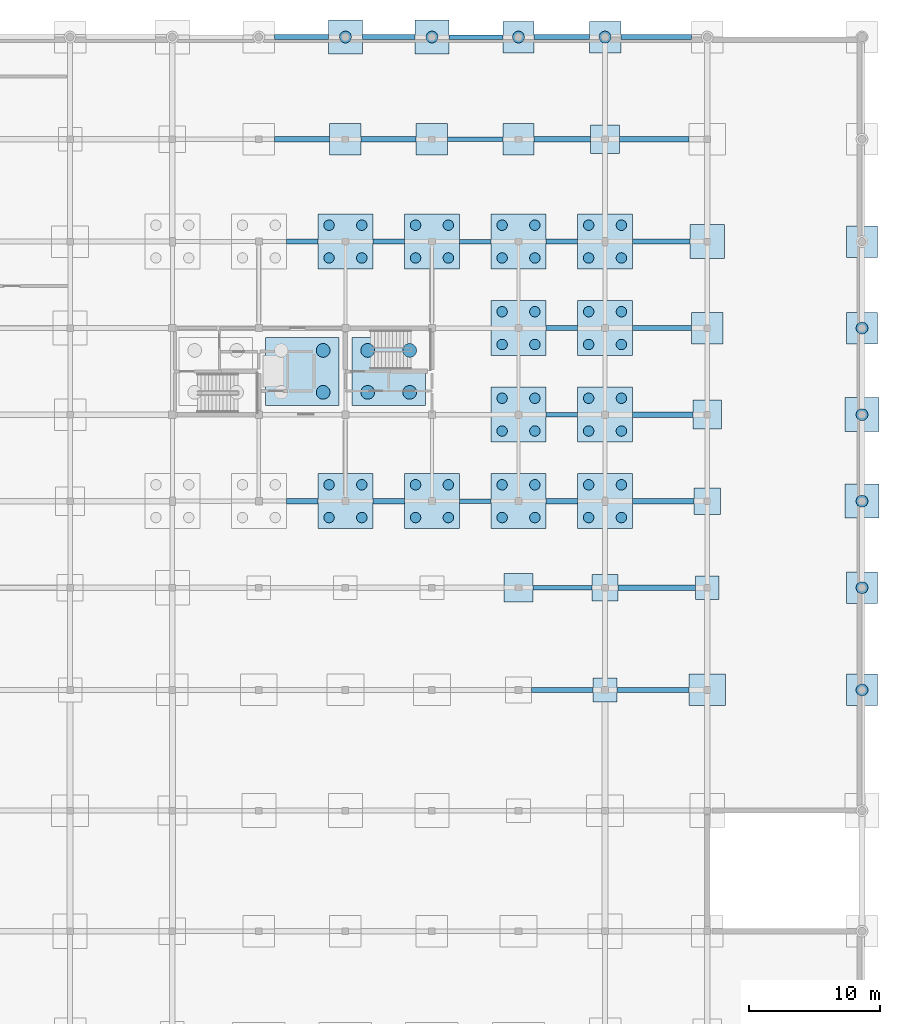
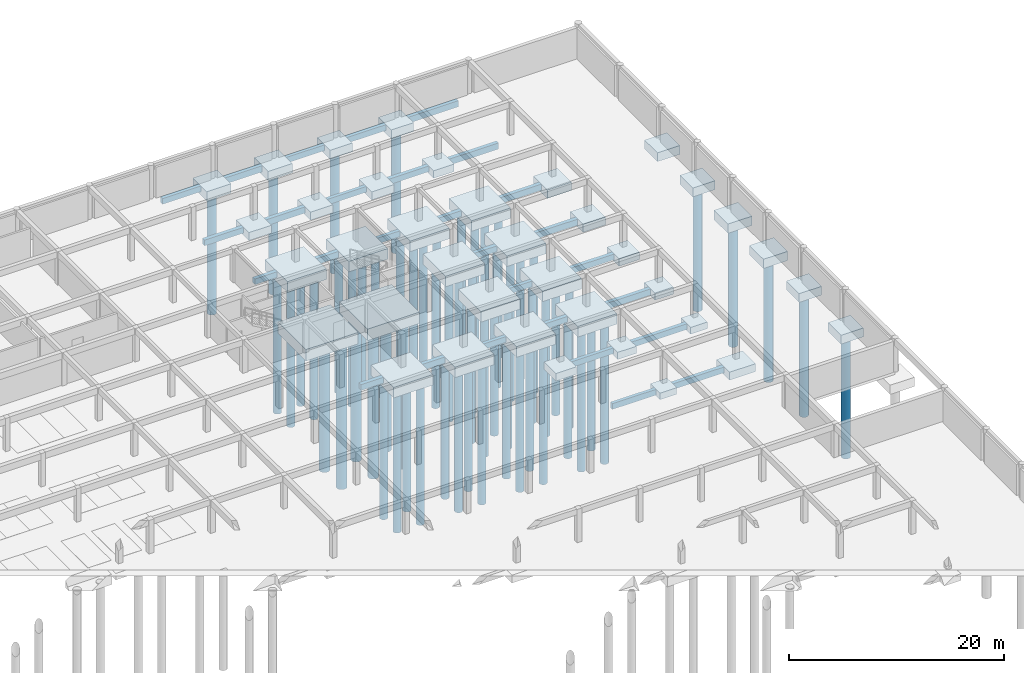
# One storey, part 9 of 37: 65 footings, 63 piles.
"""IFC4 building model written with IfcOpenShell, lengths in metres."""

import ifcopenshell
import ifcopenshell.guid

model = None  # the IFC model being written
_history = None  # IfcOwnerHistory: only IFC2X3 demands one
_inside = {}  # id of a spatial element -> (the spatial element, [elements in it])
_under = {}  # id of a project, library or spatial element -> (it, [spatial elements below it])
_declared = {}  # id of a project -> (the project, [libraries it declares])
_typed = {}  # id of a type object -> (the type object, [elements of that type])
_made_of = {}  # id of a material, layer set ... -> (it, [elements and type objects made of it])


def new_model(schema):
    """Start an empty IFC model of exactly this schema.

    Asked for "IFC4X3", IfcOpenShell would pick the latest addendum, in which some entities
    have other attributes; the version numbers below select the first issue.
    IFC2X3 requires an IfcOwnerHistory on every rooted entity: one is made here for all.
    """
    global model, _history
    if schema == "IFC4X3":
        model = ifcopenshell.file(schema_version=(4, 3, 0, 0))
    else:
        model = ifcopenshell.file(schema=schema)
    _inside.clear()
    _under.clear()
    _declared.clear()
    _typed.clear()
    _made_of.clear()
    _history = None
    if model.schema == "IFC2X3":
        org = make("IfcOrganization", Name="unknown")
        user = make(
            "IfcPersonAndOrganization",
            ThePerson=make("IfcPerson", FamilyName="unknown"),
            TheOrganization=org,
        )
        app = make(
            "IfcApplication",
            ApplicationDeveloper=org,
            Version="unknown",
            ApplicationFullName="unknown",
            ApplicationIdentifier="unknown",
        )
        _history = make(
            "IfcOwnerHistory",
            OwningUser=user,
            OwningApplication=app,
            ChangeAction="ADDED",
            CreationDate=0,
        )
    return model


def make(cls, **values):
    """One entity of the class cls with the attributes given. An attribute that is None is left unset."""
    return model.create_entity(
        cls, **{name: value for name, value in values.items() if value is not None}
    )


def rooted(cls, **values):
    """An entity with a GlobalId (a new one), such as an element, a storey or a relation."""
    return make(cls, GlobalId=ifcopenshell.guid.new(), OwnerHistory=_history, **values)


def si_unit(unit_type, name, prefix=None):
    """IfcSIUnit, for example si_unit("LENGTHUNIT", "METRE", prefix="MILLI")."""
    return make("IfcSIUnit", UnitType=unit_type, Prefix=prefix, Name=name)


def assignment(units):
    """IfcUnitAssignment: the units of a project."""
    return None if units is None else make("IfcUnitAssignment", Units=units)


def point(xyz):
    """IfcCartesianPoint."""
    return None if xyz is None else make("IfcCartesianPoint", Coordinates=xyz)


def direction(xyz):
    """IfcDirection."""
    return None if xyz is None else make("IfcDirection", DirectionRatios=xyz)


def frame(location, z_axis=None, x_axis=None):
    """IfcAxis2Placement3D, a coordinate frame: its origin and axes. An axis left out is left unset."""
    return make(
        "IfcAxis2Placement3D",
        Location=point(location),
        Axis=direction(z_axis),
        RefDirection=direction(x_axis),
    )


def frame_2d(location, x_axis=None):
    """IfcAxis2Placement2D, a coordinate frame in the plane: its origin and x axis."""
    return make(
        "IfcAxis2Placement2D", Location=point(location), RefDirection=direction(x_axis)
    )


def origin():
    """The frame at (0, 0, 0) with its axes left unset."""
    return frame((0.0, 0.0, 0.0))


def origin_2d():
    """The frame at (0, 0) in the plane with its x axis left unset."""
    return frame_2d((0.0, 0.0))


def place(relative_to, where):
    """IfcLocalPlacement: puts the frame where relative to a parent placement (None: the world)."""
    return make(
        "IfcLocalPlacement", PlacementRelTo=relative_to, RelativePlacement=where
    )


def context(
    kind, dimensions, precision=None, world=None, true_north=None, identifier=None
):
    """IfcGeometricRepresentationContext, for example the 3D "Model" context."""
    return make(
        "IfcGeometricRepresentationContext",
        ContextIdentifier=identifier,
        ContextType=kind,
        CoordinateSpaceDimension=dimensions,
        Precision=precision,
        WorldCoordinateSystem=world,
        TrueNorth=true_north,
    )


def subcontext(parent, identifier, kind, view, scale=None):
    """IfcGeometricRepresentationSubContext, for example "Body" below "Model"."""
    return make(
        "IfcGeometricRepresentationSubContext",
        ContextIdentifier=identifier,
        ContextType=kind,
        ParentContext=parent,
        TargetScale=scale,
        TargetView=view,
    )


def project(units=None, contexts=None):
    """IfcProject with its units and contexts."""
    return rooted(
        "IfcProject",
        Name="project",
        RepresentationContexts=contexts,
        UnitsInContext=assignment(units),
    )


def spatial(cls, under=None, at=None, **own):
    """A site, building, storey or space (cls), placed at a placement, below another one or the project."""
    s = rooted(cls, ObjectPlacement=at, **own)
    if under is not None:
        _under.setdefault(under.id(), (under, []))[1].append(s)
    return s


def profile(cls, at=None, kind="AREA", **sizes):
    """A parametric profile (cls). Its sizes go by their IFC names, for example OverallWidth=200.0."""
    return make(cls, ProfileType=kind, Position=at, **sizes)


def rectangle(**sizes):
    """IfcRectangleProfileDef."""
    return profile("IfcRectangleProfileDef", **sizes)


def circle(**sizes):
    """IfcCircleProfileDef."""
    return profile("IfcCircleProfileDef", **sizes)


def extrude(swept, where, along, depth):
    """IfcExtrudedAreaSolid: the profile swept, set in the frame where, extruded along a direction by depth."""
    return make(
        "IfcExtrudedAreaSolid",
        SweptArea=swept,
        Position=where,
        ExtrudedDirection=direction(along),
        Depth=depth,
    )


def shape(context_of_items, identifier, shape_type, items):
    """IfcShapeRepresentation: the items that make up one representation, for example the "Body"."""
    return make(
        "IfcShapeRepresentation",
        ContextOfItems=context_of_items,
        RepresentationIdentifier=identifier,
        RepresentationType=shape_type,
        Items=items,
    )


def material(Name=None, Category=None):
    """IfcMaterial."""
    return make("IfcMaterial", Name=Name, Category=Category)


def material_profile(
    of_material, cross_section, Name=None, Category=None, Priority=None
):
    """IfcMaterialProfile: a cross section and its material."""
    return make(
        "IfcMaterialProfile",
        Name=Name,
        Material=of_material,
        Profile=cross_section,
        Priority=Priority,
        Category=Category,
    )


def profile_set(profiles, Name=None, composite=None):
    """IfcMaterialProfileSet."""
    return make(
        "IfcMaterialProfileSet",
        Name=Name,
        MaterialProfiles=profiles,
        CompositeProfile=composite,
    )


def made_of(thing, what):
    """Note that an element or type object is made of a material, layer set ...; save() writes the relation."""
    if what is not None:
        _made_of.setdefault(what.id(), (what, []))[1].append(thing)
    return thing


def type_object(cls, material=None, **own):
    """A type object (cls), such as IfcWallType, which elements share."""
    return made_of(rooted(cls, **own), material)


def element(
    cls,
    number,
    at=None,
    inside=None,
    cuts=None,
    type_object=None,
    material=None,
    context=None,
    identifier="Body",
    shape_type=None,
    held_by="IfcProductDefinitionShape",
    body=None,
    shapes=None,
    **own,
):
    """One element of the class cls, such as IfcWall. Its Tag is "e" and its number.

    at: its placement. inside: the storey or other place that contains it. cuts: it is an
    opening in that element (IfcRelVoidsElement). A single representation is given by context,
    identifier, shape_type and body (its items); several are given by shapes. held_by: the class
    of the entity that holds the representations. save() writes the other relations.
    """
    e = rooted(cls, Tag="e%d" % number, ObjectPlacement=at, **own)
    if body is not None:
        shapes = [shape(context, identifier, shape_type, body)]
    if shapes is not None:
        e.Representation = make(held_by, Representations=shapes)
    if inside is not None:
        _inside.setdefault(inside.id(), (inside, []))[1].append(e)
    if cuts is not None:
        rooted(
            "IfcRelVoidsElement", RelatingBuildingElement=cuts, RelatedOpeningElement=e
        )
    if type_object is not None:
        _typed.setdefault(type_object.id(), (type_object, []))[1].append(e)
    return made_of(e, material)


def aggregate(whole, parts):
    """IfcRelAggregates: a whole, such as a stair, and the parts it consists of."""
    return rooted("IfcRelAggregates", RelatingObject=whole, RelatedObjects=parts)


def save(model, path):
    """Write the relations noted so far, then the file.

    IfcRelAggregates (storeys below a building ...), IfcRelContainedInSpatialStructure (elements
    in a storey), IfcRelDefinesByType, IfcRelAssociatesMaterial and IfcRelDeclares: one each for
    every whole, place, type object, material and project.
    """
    for whole, parts in _under.values():
        aggregate(whole, parts)
    for where, things in _inside.values():
        rooted(
            "IfcRelContainedInSpatialStructure",
            RelatedElements=things,
            RelatingStructure=where,
        )
    for kind, things in _typed.values():
        rooted("IfcRelDefinesByType", RelatedObjects=things, RelatingType=kind)
    for what, things in _made_of.values():
        rooted("IfcRelAssociatesMaterial", RelatedObjects=things, RelatingMaterial=what)
    for by, libraries in _declared.values():
        rooted("IfcRelDeclares", RelatingContext=by, RelatedDefinitions=libraries)
    model.write(path)


model = new_model("IFC4")

# Units and contexts
model_context = context("Model", 3, precision=1e-05, world=origin(), true_north=direction((0.0, 1.0)))
body_context = subcontext(model_context, "Body", "Model", "MODEL_VIEW")
ifc_project = project(units=[si_unit("LENGTHUNIT", "METRE"), si_unit("AREAUNIT", "SQUARE_METRE"), si_unit("VOLUMEUNIT", "CUBIC_METRE"), si_unit("PLANEANGLEUNIT", "RADIAN"), si_unit("MASSUNIT", "GRAM", prefix="KILO")], contexts=[model_context])

# Site, building, storey
site_placement = place(None, origin())
site = spatial("IfcSite", under=ifc_project, at=site_placement, CompositionType="ELEMENT")
building_placement = place(site_placement, origin())
building = spatial("IfcBuilding", under=site, at=building_placement, Name="Kernevlak Ridge Housing Community", CompositionType="ELEMENT")
storey_placement = place(building_placement, frame((0.0, 0.0, -3.800048828125)))
storey = spatial("IfcBuildingStorey", under=building, at=storey_placement, Name="B1", CompositionType="ELEMENT", Elevation=-3.800048828125)

# Piles
ifc_material = material(Name="Concrete C35/45", Category="concrete")
ifc_material_profile_1 = material_profile(ifc_material, circle(Radius=0.39990234375, at=origin_2d()), Name="BORED PILE 800")
ifc_profile_set_1 = profile_set([ifc_material_profile_1], Name="Concrete C35/45")
pile_type_1 = type_object("IfcPileType", Name="BP-01", PredefinedType="BORED", material=ifc_profile_set_1)
for number, where, z_axis, x_axis, name in (
    (1, (131.35009765625, 81.35009765625, -1.550048828125), (0.0, 0.0, -1.0), (1.0, 0.0, 0.0), "Bored pile BP-01 PILE-0253"),
    (2, (133.85009765625, 81.35009765625, -1.550048828125), (0.0, 0.0, -1.0), (1.0, 0.0, 0.0), "Bored pile BP-01 PILE-0254"),
    (3, (131.35009765625, 83.85009765625, -1.550048828125), (0.0, 0.0, -1.0), (1.0, 0.0, 0.0), "Bored pile BP-01 PILE-0255"),
    (4, (133.85009765625, 83.85009765625, -1.550048828125), (0.0, 0.0, -1.0), (1.0, 0.0, 0.0), "Bored pile BP-01 PILE-0256"),
    (5, (131.35009765625, 101.14990234375, -1.550048828125), (0.0, 0.0, -1.0), (1.0, 0.0, 0.0), "Bored pile BP-01 PILE-0257"),
    (6, (133.85009765625, 101.14990234375, -1.550048828125), (0.0, 0.0, -1.0), (1.0, 0.0, 0.0), "Bored pile BP-01 PILE-0258"),
    (7, (131.35009765625, 103.64990234375, -1.550048828125), (0.0, 0.0, -1.0), (1.0, 0.0, 0.0), "Bored pile BP-01 PILE-0259"),
    (8, (133.85009765625, 103.64990234375, -1.550048828125), (0.0, 0.0, -1.0), (1.0, 0.0, 0.0), "Bored pile BP-01 PILE-0260"),
    (9, (137.949951171875, 81.35009765625, -1.550048828125), (0.0, 0.0, -1.0), (1.0, 0.0, 0.0), "Bored pile BP-01 PILE-0265"),
    (10, (140.449951171875, 81.35009765625, -1.550048828125), (0.0, 0.0, -1.0), (1.0, 0.0, 0.0), "Bored pile BP-01 PILE-0266"),
    (11, (137.949951171875, 83.85009765625, -1.550048828125), (0.0, 0.0, -1.0), (1.0, 0.0, 0.0), "Bored pile BP-01 PILE-0267"),
    (12, (140.449951171875, 83.85009765625, -1.550048828125), (0.0, 0.0, -1.0), (1.0, 0.0, 0.0), "Bored pile BP-01 PILE-0268"),
    (13, (137.949951171875, 101.14990234375, -1.550048828125), (0.0, 0.0, -1.0), (1.0, 0.0, 0.0), "Bored pile BP-01 PILE-0269"),
    (14, (140.449951171875, 101.14990234375, -1.550048828125), (0.0, 0.0, -1.0), (1.0, 0.0, 0.0), "Bored pile BP-01 PILE-0270"),
    (15, (137.949951171875, 103.64990234375, -1.550048828125), (0.0, 0.0, -1.0), (1.0, 0.0, 0.0), "Bored pile BP-01 PILE-0271"),
    (16, (140.449951171875, 103.64990234375, -1.550048828125), (0.0, 0.0, -1.0), (1.0, 0.0, 0.0), "Bored pile BP-01 PILE-0272"),
    (17, (144.550048828125, 81.35009765625, -1.550048828125), (0.0, 0.0, -1.0), (1.0, 0.0, 0.0), "Bored pile BP-01 PILE-0285"),
    (18, (147.050048828125, 81.35009765625, -1.550048828125), (0.0, 0.0, -1.0), (1.0, 0.0, 0.0), "Bored pile BP-01 PILE-0286"),
    (19, (144.550048828125, 83.85009765625, -1.550048828125), (0.0, 0.0, -1.0), (1.0, 0.0, 0.0), "Bored pile BP-01 PILE-0287"),
    (20, (147.050048828125, 83.85009765625, -1.550048828125), (0.0, 0.0, -1.0), (1.0, 0.0, 0.0), "Bored pile BP-01 PILE-0288"),
    (21, (144.550048828125, 87.949951171875, -1.550048828125), (0.0, 0.0, -1.0), (1.0, 0.0, 0.0), "Bored pile BP-01 PILE-0289"),
    (22, (147.050048828125, 87.949951171875, -1.550048828125), (0.0, 0.0, -1.0), (1.0, 0.0, 0.0), "Bored pile BP-01 PILE-0290"),
    (23, (144.550048828125, 90.449951171875, -1.550048828125), (0.0, 0.0, -1.0), (1.0, 0.0, 0.0), "Bored pile BP-01 PILE-0291"),
    (24, (147.050048828125, 90.449951171875, -1.550048828125), (0.0, 0.0, -1.0), (1.0, 0.0, 0.0), "Bored pile BP-01 PILE-0292"),
    (25, (144.550048828125, 94.550048828125, -1.550048828125), (0.0, 0.0, -1.0), (1.0, 0.0, 0.0), "Bored pile BP-01 PILE-0293"),
    (26, (147.050048828125, 94.550048828125, -1.550048828125), (0.0, 0.0, -1.0), (1.0, 0.0, 0.0), "Bored pile BP-01 PILE-0294"),
    (27, (144.550048828125, 97.050048828125, -1.550048828125), (0.0, 0.0, -1.0), (1.0, 0.0, 0.0), "Bored pile BP-01 PILE-0295"),
    (28, (147.050048828125, 97.050048828125, -1.550048828125), (0.0, 0.0, -1.0), (1.0, 0.0, 0.0), "Bored pile BP-01 PILE-0296"),
    (29, (144.550048828125, 101.14990234375, -1.550048828125), (0.0, 0.0, -1.0), (1.0, 0.0, 0.0), "Bored pile BP-01 PILE-0297"),
    (30, (147.050048828125, 101.14990234375, -1.550048828125), (0.0, 0.0, -1.0), (1.0, 0.0, 0.0), "Bored pile BP-01 PILE-0298"),
    (31, (144.550048828125, 103.64990234375, -1.550048828125), (0.0, 0.0, -1.0), (1.0, 0.0, 0.0), "Bored pile BP-01 PILE-0299"),
    (32, (147.050048828125, 103.64990234375, -1.550048828125), (0.0, 0.0, -1.0), (1.0, 0.0, 0.0), "Bored pile BP-01 PILE-0300"),
    (33, (151.14990234375, 81.35009765625, -1.550048828125), (0.0, 0.0, -1.0), (1.0, 0.0, 0.0), "Bored pile BP-01 PILE-0303"),
    (34, (153.64990234375, 81.35009765625, -1.550048828125), (0.0, 0.0, -1.0), (1.0, 0.0, 0.0), "Bored pile BP-01 PILE-0304"),
    (35, (151.14990234375, 83.85009765625, -1.550048828125), (0.0, 0.0, -1.0), (1.0, 0.0, 0.0), "Bored pile BP-01 PILE-0305"),
    (36, (153.64990234375, 83.85009765625, -1.550048828125), (0.0, 0.0, -1.0), (1.0, 0.0, 0.0), "Bored pile BP-01 PILE-0306"),
    (37, (151.14990234375, 87.949951171875, -1.550048828125), (0.0, 0.0, -1.0), (1.0, 0.0, 0.0), "Bored pile BP-01 PILE-0307"),
    (38, (153.64990234375, 87.949951171875, -1.550048828125), (0.0, 0.0, -1.0), (1.0, 0.0, 0.0), "Bored pile BP-01 PILE-0308"),
    (39, (151.14990234375, 90.449951171875, -1.550048828125), (0.0, 0.0, -1.0), (1.0, 0.0, 0.0), "Bored pile BP-01 PILE-0309"),
    (40, (153.64990234375, 90.449951171875, -1.550048828125), (0.0, 0.0, -1.0), (1.0, 0.0, 0.0), "Bored pile BP-01 PILE-0310"),
    (41, (151.14990234375, 94.550048828125, -1.550048828125), (0.0, 0.0, -1.0), (1.0, 0.0, 0.0), "Bored pile BP-01 PILE-0311"),
    (42, (153.64990234375, 94.550048828125, -1.550048828125), (0.0, 0.0, -1.0), (1.0, 0.0, 0.0), "Bored pile BP-01 PILE-0312"),
    (43, (151.14990234375, 97.050048828125, -1.550048828125), (0.0, 0.0, -1.0), (1.0, 0.0, 0.0), "Bored pile BP-01 PILE-0313"),
    (44, (153.64990234375, 97.050048828125, -1.550048828125), (0.0, 0.0, -1.0), (1.0, 0.0, 0.0), "Bored pile BP-01 PILE-0314"),
    (45, (151.14990234375, 101.14990234375, -1.550048828125), (0.0, 0.0, -1.0), (1.0, 0.0, 0.0), "Bored pile BP-01 PILE-0315"),
    (46, (153.64990234375, 101.14990234375, -1.550048828125), (0.0, 0.0, -1.0), (1.0, 0.0, 0.0), "Bored pile BP-01 PILE-0316"),
    (47, (151.14990234375, 103.64990234375, -1.550048828125), (0.0, 0.0, -1.0), (1.0, 0.0, 0.0), "Bored pile BP-01 PILE-0317"),
    (48, (153.64990234375, 103.64990234375, -1.550048828125), (0.0, 0.0, -1.0), (1.0, 0.0, 0.0), "Bored pile BP-01 PILE-0318"),
):
    element("IfcPile", number, at=place(storey_placement, frame(where, z_axis=z_axis, x_axis=x_axis)), inside=storey, type_object=pile_type_1, Name=name, PredefinedType="BORED", context=body_context, shape_type="SweptSolid", body=[
        extrude(circle(Radius=0.39990234375, at=origin_2d()), origin(), (0.0, 0.0, 1.0), 16.0),
    ])
ifc_material_profile_2 = material_profile(ifc_material, circle(Radius=0.449951171875, at=origin_2d()), Name="BORED PILE 900")
ifc_profile_set_2 = profile_set([ifc_material_profile_2], Name="Concrete C35/45")
pile_type_2 = type_object("IfcPileType", Name="BP-02", PredefinedType="BORED", material=ifc_profile_set_2)
for number, where, z_axis, x_axis, name in (
    (49, (132.60009765625, 118.0, -1.39990234375), (0.0, 0.0, -1.0), (1.0, 0.0, 0.0), "Bored pile BP-02 PILE-0261"),
    (50, (139.199951171875, 118.0, -1.39990234375), (0.0, 0.0, -1.0), (1.0, 0.0, 0.0), "Bored pile BP-02 PILE-0273"),
    (51, (145.800048828125, 118.0, -1.349853515625), (0.0, 0.0, -1.0), (1.0, 0.0, 0.0), "Bored pile BP-02 PILE-0301"),
    (52, (152.39990234375, 118.0, -1.349853515625), (0.0, 0.0, -1.0), (1.0, 0.0, 0.0), "Bored pile BP-02 PILE-0319"),
    (53, (172.0, 68.199951171875, -1.349853515625), (0.0, 0.0, -1.0), (1.0, 0.0, 0.0), "Bored pile BP-02 PILE-0331"),
    (54, (172.0, 76.0, -1.349853515625), (0.0, 0.0, -1.0), (1.0, 0.0, 0.0), "Bored pile BP-02 PILE-0332"),
    (55, (172.0, 82.60009765625, -1.39990234375), (0.0, 0.0, -1.0), (1.0, 0.0, 0.0), "Bored pile BP-02 PILE-0333"),
    (56, (172.0, 89.199951171875, -1.39990234375), (0.0, 0.0, -1.0), (1.0, 0.0, 0.0), "Bored pile BP-02 PILE-0334"),
    (57, (172.0, 95.800048828125, -1.349853515625), (0.0, 0.0, -1.0), (1.0, 0.0, 0.0), "Bored pile BP-02 PILE-0335"),
):
    element("IfcPile", number, at=place(storey_placement, frame(where, z_axis=z_axis, x_axis=x_axis)), inside=storey, type_object=pile_type_2, Name=name, PredefinedType="BORED", context=body_context, shape_type="SweptSolid", body=[
        extrude(circle(Radius=0.449951171875, at=origin_2d()), origin(), (0.0, 0.0, 1.0), 14.0),
    ])
ifc_material_profile_3 = material_profile(ifc_material, circle(Radius=0.52490234375, at=origin_2d()), Name="BORED PILE 1050")
ifc_profile_set_3 = profile_set([ifc_material_profile_3], Name="Concrete C35/45")
pile_type_3 = type_object("IfcPileType", Name="BP-03", PredefinedType="BORED", material=ifc_profile_set_3)
for number, where, z_axis, x_axis, name in (
    (58, (130.89990234375, 90.89990234375, -1.64990234375), (0.0, 0.0, -1.0), (1.0, 0.0, 0.0), "Bored pile BP-03 PILE-0018"),
    (59, (130.89990234375, 94.10009765625, -1.64990234375), (0.0, 0.0, -1.0), (1.0, 0.0, 0.0), "Bored pile BP-03 PILE-0020"),
    (60, (134.300048828125, 90.89990234375, -1.64990234375), (0.0, 0.0, -1.0), (1.0, 0.0, 0.0), "Bored pile BP-03 PILE-0021"),
    (61, (137.5, 90.89990234375, -1.64990234375), (0.0, 0.0, -1.0), (1.0, 0.0, 0.0), "Bored pile BP-03 PILE-0022"),
    (62, (134.300048828125, 94.10009765625, -1.64990234375), (0.0, 0.0, -1.0), (1.0, 0.0, 0.0), "Bored pile BP-03 PILE-0023"),
    (63, (137.5, 94.10009765625, -1.64990234375), (0.0, 0.0, -1.0), (1.0, 0.0, 0.0), "Bored pile BP-03 PILE-0024"),
):
    element("IfcPile", number, at=place(storey_placement, frame(where, z_axis=z_axis, x_axis=x_axis)), inside=storey, type_object=pile_type_3, Name=name, PredefinedType="BORED", context=body_context, shape_type="SweptSolid", body=[
        extrude(circle(Radius=0.52490234375, at=origin_2d()), origin(), (0.0, 0.0, 1.0), 16.5),
    ])

# Footings
ifc_material_profile_4 = material_profile(ifc_material, rectangle(XDim=0.39990234375, YDim=0.699951171875, at=origin_2d()), Name="RC 400x700")
ifc_profile_set_4 = profile_set([ifc_material_profile_4], Name="Concrete C35/45")
footing_type_1 = type_object("IfcFootingType", Name="FB-01", PredefinedType="FOOTING_BEAM", material=ifc_profile_set_4)
footing_1_placement = place(storey_placement, frame((134.699951171875, 82.60009765625, -0.800048828125), z_axis=(1.0, 0.0, 0.0), x_axis=(0.0, 1.0, 0.0)))
element("IfcFooting", 64, at=footing_1_placement, inside=storey, type_object=footing_type_1, Name="Ground tie beam FB-01 222", PredefinedType="FOOTING_BEAM", context=body_context, shape_type="SweptSolid", body=[
    extrude(rectangle(XDim=0.39990234375, YDim=0.699951171875, at=origin_2d()), origin(), (0.0, 0.0, 1.0), 2.400146484375),
])
footing_2_placement = place(storey_placement, frame((154.5, 82.60009765625, -0.800048828125), z_axis=(1.0, 0.0, 0.0), x_axis=(0.0, 1.0, 0.0)))
element("IfcFooting", 65, at=footing_2_placement, inside=storey, type_object=footing_type_1, Name="Ground tie beam FB-01 225", PredefinedType="FOOTING_BEAM", context=body_context, shape_type="SweptSolid", body=[
    extrude(rectangle(XDim=0.39990234375, YDim=0.699951171875, at=origin_2d()), origin(), (0.0, 0.0, 1.0), 4.699951171875),
])
footing_3_placement = place(storey_placement, frame((154.5, 95.800048828125, -0.800048828125), z_axis=(1.0, 0.0, 0.0), x_axis=(0.0, 1.0, 0.0)))
element("IfcFooting", 66, at=footing_3_placement, inside=storey, type_object=footing_type_1, Name="Ground tie beam FB-01 252", PredefinedType="FOOTING_BEAM", context=body_context, shape_type="SweptSolid", body=[
    extrude(rectangle(XDim=0.39990234375, YDim=0.699951171875, at=origin_2d()), origin(), (0.0, 0.0, 1.0), 4.5),
])
footing_4_placement = place(storey_placement, frame((134.699951171875, 102.39990234375, -0.800048828125), z_axis=(1.0, 0.0, 0.0), x_axis=(0.0, 1.0, 0.0)))
element("IfcFooting", 67, at=footing_4_placement, inside=storey, type_object=footing_type_1, Name="Ground tie beam FB-01 270", PredefinedType="FOOTING_BEAM", context=body_context, shape_type="SweptSolid", body=[
    extrude(rectangle(XDim=0.39990234375, YDim=0.699951171875, at=origin_2d()), origin(), (0.0, 0.0, 1.0), 2.400146484375),
])
footing_5_placement = place(storey_placement, frame((154.5, 102.39990234375, -0.800048828125), z_axis=(1.0, 0.0, 0.0), x_axis=(0.0, 1.0, 0.0)))
element("IfcFooting", 68, at=footing_5_placement, inside=storey, type_object=footing_type_1, Name="Ground tie beam FB-01 273", PredefinedType="FOOTING_BEAM", context=body_context, shape_type="SweptSolid", body=[
    extrude(rectangle(XDim=0.39990234375, YDim=0.699951171875, at=origin_2d()), origin(), (0.0, 0.0, 1.0), 4.39990234375),
])
footing_6_placement = place(storey_placement, frame((133.800048828125, 110.199951171875, -0.800048828125), z_axis=(1.0, 0.0, 0.0), x_axis=(0.0, 1.0, 0.0)))
element("IfcFooting", 69, at=footing_6_placement, inside=storey, type_object=footing_type_1, Name="Ground tie beam FB-01 291", PredefinedType="FOOTING_BEAM", context=body_context, shape_type="SweptSolid", body=[
    extrude(rectangle(XDim=0.39990234375, YDim=0.699951171875, at=origin_2d()), origin(), (0.0, 0.0, 1.0), 4.199951171875),
])
footing_7_placement = place(storey_placement, frame((153.5, 110.199951171875, -0.800048828125), z_axis=(1.0, 0.0, 0.0), x_axis=(0.0, 1.0, 0.0)))
element("IfcFooting", 70, at=footing_7_placement, inside=storey, type_object=footing_type_1, Name="Ground tie beam FB-01 294", PredefinedType="FOOTING_BEAM", context=body_context, shape_type="SweptSolid", body=[
    extrude(rectangle(XDim=0.39990234375, YDim=0.699951171875, at=origin_2d()), origin(), (0.0, 0.0, 1.0), 5.300048828125),
])
footing_8_placement = place(storey_placement, frame((133.89990234375, 118.0, -0.800048828125), z_axis=(1.0, 0.0, 0.0), x_axis=(0.0, 1.0, 0.0)))
element("IfcFooting", 71, at=footing_8_placement, inside=storey, type_object=footing_type_1, Name="Ground tie beam FB-01 312", PredefinedType="FOOTING_BEAM", context=body_context, shape_type="SweptSolid", body=[
    extrude(rectangle(XDim=0.39990234375, YDim=0.699951171875, at=origin_2d()), origin(), (0.0, 0.0, 1.0), 4.0),
])
footing_9_placement = place(storey_placement, frame((153.60009765625, 118.0, -0.800048828125), z_axis=(1.0, 0.0, 0.0), x_axis=(0.0, 1.0, 0.0)))
element("IfcFooting", 72, at=footing_9_placement, inside=storey, type_object=footing_type_1, Name="Ground tie beam FB-01 315", PredefinedType="FOOTING_BEAM", context=body_context, shape_type="SweptSolid", body=[
    extrude(rectangle(XDim=0.39990234375, YDim=0.699951171875, at=origin_2d()), origin(), (0.0, 0.0, 1.0), 5.39990234375),
])
ifc_material_profile_5 = material_profile(ifc_material, rectangle(XDim=0.35009765625, YDim=0.64990234375, at=origin_2d()), Name="RC 350x650")
ifc_profile_set_5 = profile_set([ifc_material_profile_5], Name="Concrete C35/45")
footing_type_2 = type_object("IfcFootingType", Name="FB-02", PredefinedType="FOOTING_BEAM", material=ifc_profile_set_5)
footing_10_placement = place(storey_placement, frame((146.800048828125, 68.199951171875, -0.77490234375), z_axis=(1.0, 0.0, 0.0), x_axis=(0.0, 1.0, 0.0)))
element("IfcFooting", 73, at=footing_10_placement, inside=storey, type_object=footing_type_2, Name="Ground tie beam FB-02 187", PredefinedType="FOOTING_BEAM", context=body_context, shape_type="SweptSolid", body=[
    extrude(rectangle(XDim=0.35009765625, YDim=0.64990234375, at=origin_2d()), origin(), (0.0, 0.0, 1.0), 4.699951171875),
])
footing_11_placement = place(storey_placement, frame((146.89990234375, 76.0, -0.77490234375), z_axis=(1.0, 0.0, 0.0), x_axis=(0.0, 1.0, 0.0)))
element("IfcFooting", 74, at=footing_11_placement, inside=storey, type_object=footing_type_2, Name="Ground tie beam FB-02 208", PredefinedType="FOOTING_BEAM", context=body_context, shape_type="SweptSolid", body=[
    extrude(rectangle(XDim=0.35009765625, YDim=0.64990234375, at=origin_2d()), origin(), (0.0, 0.0, 1.0), 4.5),
])
footing_12_placement = place(storey_placement, frame((141.300048828125, 82.60009765625, -0.77490234375), z_axis=(1.0, 0.0, 0.0), x_axis=(0.0, 1.0, 0.0)))
element("IfcFooting", 75, at=footing_12_placement, inside=storey, type_object=footing_type_2, Name="Ground tie beam FB-02 223", PredefinedType="FOOTING_BEAM", context=body_context, shape_type="SweptSolid", body=[
    extrude(rectangle(XDim=0.35009765625, YDim=0.64990234375, at=origin_2d()), origin(), (0.0, 0.0, 1.0), 2.39990234375),
])
footing_13_placement = place(storey_placement, frame((147.89990234375, 89.199951171875, -0.77490234375), z_axis=(1.0, 0.0, 0.0), x_axis=(0.0, 1.0, 0.0)))
element("IfcFooting", 76, at=footing_13_placement, inside=storey, type_object=footing_type_2, Name="Ground tie beam FB-02 235", PredefinedType="FOOTING_BEAM", context=body_context, shape_type="SweptSolid", body=[
    extrude(rectangle(XDim=0.35009765625, YDim=0.64990234375, at=origin_2d()), origin(), (0.0, 0.0, 1.0), 2.400146484375),
])
footing_14_placement = place(storey_placement, frame((141.300048828125, 102.39990234375, -0.77490234375), z_axis=(1.0, 0.0, 0.0), x_axis=(0.0, 1.0, 0.0)))
element("IfcFooting", 77, at=footing_14_placement, inside=storey, type_object=footing_type_2, Name="Ground tie beam FB-02 271", PredefinedType="FOOTING_BEAM", context=body_context, shape_type="SweptSolid", body=[
    extrude(rectangle(XDim=0.35009765625, YDim=0.64990234375, at=origin_2d()), origin(), (0.0, 0.0, 1.0), 2.39990234375),
])
footing_15_placement = place(storey_placement, frame((140.39990234375, 110.199951171875, -0.77490234375), z_axis=(1.0, 0.0, 0.0), x_axis=(0.0, 1.0, 0.0)))
element("IfcFooting", 78, at=footing_15_placement, inside=storey, type_object=footing_type_2, Name="Ground tie beam FB-02 292", PredefinedType="FOOTING_BEAM", context=body_context, shape_type="SweptSolid", body=[
    extrude(rectangle(XDim=0.35009765625, YDim=0.64990234375, at=origin_2d()), origin(), (0.0, 0.0, 1.0), 4.2001953125),
])
footing_16_placement = place(storey_placement, frame((140.5, 118.0, -0.77490234375), z_axis=(1.0, 0.0, 0.0), x_axis=(0.0, 1.0, 0.0)))
element("IfcFooting", 79, at=footing_16_placement, inside=storey, type_object=footing_type_2, Name="Ground tie beam FB-02 313", PredefinedType="FOOTING_BEAM", context=body_context, shape_type="SweptSolid", body=[
    extrude(rectangle(XDim=0.35009765625, YDim=0.64990234375, at=origin_2d()), origin(), (0.0, 0.0, 1.0), 4.10009765625),
])
ifc_material_profile_6 = material_profile(ifc_material, rectangle(XDim=0.39990234375, YDim=0.64990234375, at=origin_2d()), Name="RC 400x650")
ifc_profile_set_6 = profile_set([ifc_material_profile_6], Name="Concrete C35/45")
footing_type_3 = type_object("IfcFootingType", Name="FB-03", PredefinedType="FOOTING_BEAM", material=ifc_profile_set_6)
footing_17_placement = place(storey_placement, frame((153.300048828125, 68.199951171875, -0.77490234375), z_axis=(1.0, 0.0, 0.0), x_axis=(0.0, 1.0, 0.0)))
element("IfcFooting", 80, at=footing_17_placement, inside=storey, type_object=footing_type_3, Name="Ground tie beam FB-03 188", PredefinedType="FOOTING_BEAM", context=body_context, shape_type="SweptSolid", body=[
    extrude(rectangle(XDim=0.39990234375, YDim=0.64990234375, at=origin_2d()), origin(), (0.0, 0.0, 1.0), 5.5),
])
footing_18_placement = place(storey_placement, frame((153.39990234375, 76.0, -0.77490234375), z_axis=(1.0, 0.0, 0.0), x_axis=(0.0, 1.0, 0.0)))
element("IfcFooting", 81, at=footing_18_placement, inside=storey, type_object=footing_type_3, Name="Ground tie beam FB-03 209", PredefinedType="FOOTING_BEAM", context=body_context, shape_type="SweptSolid", body=[
    extrude(rectangle(XDim=0.39990234375, YDim=0.64990234375, at=origin_2d()), origin(), (0.0, 0.0, 1.0), 5.900146484375),
])
footing_19_placement = place(storey_placement, frame((128.10009765625, 82.60009765625, -0.77490234375), z_axis=(1.0, 0.0, 0.0), x_axis=(0.0, 1.0, 0.0)))
element("IfcFooting", 82, at=footing_19_placement, inside=storey, type_object=footing_type_3, Name="Ground tie beam FB-03 221", PredefinedType="FOOTING_BEAM", context=body_context, shape_type="SweptSolid", body=[
    extrude(rectangle(XDim=0.39990234375, YDim=0.64990234375, at=origin_2d()), origin(), (0.0, 0.0, 1.0), 2.39990234375),
])
footing_20_placement = place(storey_placement, frame((147.89990234375, 82.60009765625, -0.77490234375), z_axis=(1.0, 0.0, 0.0), x_axis=(0.0, 1.0, 0.0)))
element("IfcFooting", 83, at=footing_20_placement, inside=storey, type_object=footing_type_3, Name="Ground tie beam FB-03 224", PredefinedType="FOOTING_BEAM", context=body_context, shape_type="SweptSolid", body=[
    extrude(rectangle(XDim=0.39990234375, YDim=0.64990234375, at=origin_2d()), origin(), (0.0, 0.0, 1.0), 2.400146484375),
])
footing_21_placement = place(storey_placement, frame((154.5, 89.199951171875, -0.77490234375), z_axis=(1.0, 0.0, 0.0), x_axis=(0.0, 1.0, 0.0)))
element("IfcFooting", 84, at=footing_21_placement, inside=storey, type_object=footing_type_3, Name="Ground tie beam FB-03 236", PredefinedType="FOOTING_BEAM", context=body_context, shape_type="SweptSolid", body=[
    extrude(rectangle(XDim=0.39990234375, YDim=0.64990234375, at=origin_2d()), origin(), (0.0, 0.0, 1.0), 4.60009765625),
])
footing_22_placement = place(storey_placement, frame((147.89990234375, 95.800048828125, -0.77490234375), z_axis=(1.0, 0.0, 0.0), x_axis=(0.0, 1.0, 0.0)))
element("IfcFooting", 85, at=footing_22_placement, inside=storey, type_object=footing_type_3, Name="Ground tie beam FB-03 251", PredefinedType="FOOTING_BEAM", context=body_context, shape_type="SweptSolid", body=[
    extrude(rectangle(XDim=0.39990234375, YDim=0.64990234375, at=origin_2d()), origin(), (0.0, 0.0, 1.0), 2.400146484375),
])
footing_23_placement = place(storey_placement, frame((128.10009765625, 102.39990234375, -0.77490234375), z_axis=(1.0, 0.0, 0.0), x_axis=(0.0, 1.0, 0.0)))
element("IfcFooting", 86, at=footing_23_placement, inside=storey, type_object=footing_type_3, Name="Ground tie beam FB-03 269", PredefinedType="FOOTING_BEAM", context=body_context, shape_type="SweptSolid", body=[
    extrude(rectangle(XDim=0.39990234375, YDim=0.64990234375, at=origin_2d()), origin(), (0.0, 0.0, 1.0), 2.39990234375),
])
footing_24_placement = place(storey_placement, frame((147.89990234375, 102.39990234375, -0.77490234375), z_axis=(1.0, 0.0, 0.0), x_axis=(0.0, 1.0, 0.0)))
element("IfcFooting", 87, at=footing_24_placement, inside=storey, type_object=footing_type_3, Name="Ground tie beam FB-03 272", PredefinedType="FOOTING_BEAM", context=body_context, shape_type="SweptSolid", body=[
    extrude(rectangle(XDim=0.39990234375, YDim=0.64990234375, at=origin_2d()), origin(), (0.0, 0.0, 1.0), 2.400146484375),
])
footing_25_placement = place(storey_placement, frame((127.199951171875, 110.199951171875, -0.77490234375), z_axis=(1.0, 0.0, 0.0), x_axis=(0.0, 1.0, 0.0)))
element("IfcFooting", 88, at=footing_25_placement, inside=storey, type_object=footing_type_3, Name="Ground tie beam FB-03 290", PredefinedType="FOOTING_BEAM", context=body_context, shape_type="SweptSolid", body=[
    extrude(rectangle(XDim=0.39990234375, YDim=0.64990234375, at=origin_2d()), origin(), (0.0, 0.0, 1.0), 4.199951171875),
])
footing_26_placement = place(storey_placement, frame((147.0, 110.199951171875, -0.77490234375), z_axis=(1.0, 0.0, 0.0), x_axis=(0.0, 1.0, 0.0)))
element("IfcFooting", 89, at=footing_26_placement, inside=storey, type_object=footing_type_3, Name="Ground tie beam FB-03 293", PredefinedType="FOOTING_BEAM", context=body_context, shape_type="SweptSolid", body=[
    extrude(rectangle(XDim=0.39990234375, YDim=0.64990234375, at=origin_2d()), origin(), (0.0, 0.0, 1.0), 4.300048828125),
])
footing_27_placement = place(storey_placement, frame((127.199951171875, 118.0, -0.77490234375), z_axis=(1.0, 0.0, 0.0), x_axis=(0.0, 1.0, 0.0)))
element("IfcFooting", 90, at=footing_27_placement, inside=storey, type_object=footing_type_3, Name="Ground tie beam FB-03 311", PredefinedType="FOOTING_BEAM", context=body_context, shape_type="SweptSolid", body=[
    extrude(rectangle(XDim=0.39990234375, YDim=0.64990234375, at=origin_2d()), origin(), (0.0, 0.0, 1.0), 4.10009765625),
])
footing_28_placement = place(storey_placement, frame((147.0, 118.0, -0.77490234375), z_axis=(1.0, 0.0, 0.0), x_axis=(0.0, 1.0, 0.0)))
element("IfcFooting", 91, at=footing_28_placement, inside=storey, type_object=footing_type_3, Name="Ground tie beam FB-03 314", PredefinedType="FOOTING_BEAM", context=body_context, shape_type="SweptSolid", body=[
    extrude(rectangle(XDim=0.39990234375, YDim=0.64990234375, at=origin_2d()), origin(), (0.0, 0.0, 1.0), 4.199951171875),
])
footing_type_4 = type_object("IfcFootingType", Name="FC-01", PredefinedType="PILE_CAP", material=ifc_material)
for number, where, z_axis, x_axis, name in (
    (92, (145.800048828125, 118.0, -1.449951171875), (0.0, 0.0, 1.0), (1.0, 0.0, 0.0), "Footing FC-01 FTG-CAP-342"),
    (93, (152.39990234375, 118.0, -1.449951171875), (0.0, 0.0, 1.0), (1.0, 0.0, 0.0), "Footing FC-01 FTG-CAP-359"),
    (94, (172.0, 68.199951171875, -1.449951171875), (0.0, 0.0, 1.0), (1.0, 0.0, 0.0), "Footing FC-01 FTG-CAP-386"),
    (95, (172.0, 76.0, -1.449951171875), (0.0, 0.0, 1.0), (1.0, 0.0, 0.0), "Footing FC-01 FTG-CAP-387"),
    (96, (172.0, 95.800048828125, -1.449951171875), (0.0, 0.0, 1.0), (1.0, 0.0, 0.0), "Footing FC-01 FTG-CAP-390"),
    (97, (172.0, 102.39990234375, -1.449951171875), (0.0, 0.0, 1.0), (1.0, 0.0, 0.0), "Footing FC-01 FTG-CAP-391"),
):
    element("IfcFooting", number, at=place(storey_placement, frame(where, z_axis=z_axis, x_axis=x_axis)), inside=storey, type_object=footing_type_4, Name=name, PredefinedType="PILE_CAP", context=body_context, shape_type="SweptSolid", body=[
        extrude(rectangle(XDim=2.39990234375, YDim=2.39990234375, at=origin_2d()), origin(), (0.0, 0.0, 1.0), 1.0),
    ])
footing_type_5 = type_object("IfcFootingType", Name="FC-03", PredefinedType="PILE_CAP", material=ifc_material)
for number, where, z_axis, x_axis, name in (
    (98, (132.60009765625, 82.60009765625, -1.64990234375), (0.0, 0.0, 1.0), (1.0, 0.0, 0.0), "Footing FC-03 FTG-CAP-311"),
    (99, (132.60009765625, 102.39990234375, -1.64990234375), (0.0, 0.0, 1.0), (1.0, 0.0, 0.0), "Footing FC-03 FTG-CAP-312"),
    (100, (139.199951171875, 82.60009765625, -1.64990234375), (0.0, 0.0, 1.0), (1.0, 0.0, 0.0), "Footing FC-03 FTG-CAP-322"),
    (101, (139.199951171875, 102.39990234375, -1.64990234375), (0.0, 0.0, 1.0), (1.0, 0.0, 0.0), "Footing FC-03 FTG-CAP-323"),
    (102, (145.800048828125, 82.60009765625, -1.64990234375), (0.0, 0.0, 1.0), (1.0, 0.0, 0.0), "Footing FC-03 FTG-CAP-337"),
    (103, (145.800048828125, 89.199951171875, -1.64990234375), (0.0, 0.0, 1.0), (1.0, 0.0, 0.0), "Footing FC-03 FTG-CAP-338"),
    (104, (145.800048828125, 95.800048828125, -1.64990234375), (0.0, 0.0, 1.0), (1.0, 0.0, 0.0), "Footing FC-03 FTG-CAP-339"),
    (105, (145.800048828125, 102.39990234375, -1.64990234375), (0.0, 0.0, 1.0), (1.0, 0.0, 0.0), "Footing FC-03 FTG-CAP-340"),
    (106, (152.39990234375, 82.60009765625, -1.64990234375), (0.0, 0.0, 1.0), (1.0, 0.0, 0.0), "Footing FC-03 FTG-CAP-354"),
    (107, (152.39990234375, 89.199951171875, -1.64990234375), (0.0, 0.0, 1.0), (1.0, 0.0, 0.0), "Footing FC-03 FTG-CAP-355"),
    (108, (152.39990234375, 95.800048828125, -1.64990234375), (0.0, 0.0, 1.0), (1.0, 0.0, 0.0), "Footing FC-03 FTG-CAP-356"),
    (109, (152.39990234375, 102.39990234375, -1.64990234375), (0.0, 0.0, 1.0), (1.0, 0.0, 0.0), "Footing FC-03 FTG-CAP-357"),
):
    element("IfcFooting", number, at=place(storey_placement, frame(where, z_axis=z_axis, x_axis=x_axis)), inside=storey, type_object=footing_type_5, Name=name, PredefinedType="PILE_CAP", context=body_context, shape_type="SweptSolid", body=[
        extrude(rectangle(XDim=4.199951171875, YDim=4.199951171875, at=origin_2d()), origin(), (0.0, 0.0, 1.0), 1.199951171875),
    ])
footing_type_6 = type_object("IfcFootingType", Name="FC-05", PredefinedType="PILE_CAP", material=ifc_material)
for number, where, z_axis, x_axis, name in (
    (110, (129.300048828125, 92.5, -1.75), (0.0, 0.0, 1.0), (1.0, 0.0, 0.0), "Footing FC-05 FTG-CAP-005"),
    (111, (135.89990234375, 92.5, -1.75), (0.0, 0.0, 1.0), (1.0, 0.0, 0.0), "Footing FC-05 FTG-CAP-006"),
):
    element("IfcFooting", number, at=place(storey_placement, frame(where, z_axis=z_axis, x_axis=x_axis)), inside=storey, type_object=footing_type_6, Name=name, PredefinedType="PILE_CAP", context=body_context, shape_type="SweptSolid", body=[
        extrude(rectangle(XDim=5.60009765625, YDim=5.199951171875, at=origin_2d()), origin(), (0.0, 0.0, 1.0), 1.300048828125),
    ])
footing_type_7 = type_object("IfcFootingType", Name="FC-08", PredefinedType="PILE_CAP", material=ifc_material)
for number, where, z_axis, x_axis, name in (
    (112, (132.60009765625, 118.0, -1.5), (0.0, 0.0, 1.0), (1.0, 0.0, 0.0), "Footing FC-08 FTG-CAP-314"),
    (113, (139.199951171875, 118.0, -1.5), (0.0, 0.0, 1.0), (1.0, 0.0, 0.0), "Footing FC-08 FTG-CAP-325"),
    (114, (172.0, 82.60009765625, -1.5), (0.0, 0.0, 1.0), (1.0, 0.0, 0.0), "Footing FC-08 FTG-CAP-388"),
    (115, (172.0, 89.199951171875, -1.5), (0.0, 0.0, 1.0), (1.0, 0.0, 0.0), "Footing FC-08 FTG-CAP-389"),
):
    element("IfcFooting", number, at=place(storey_placement, frame(where, z_axis=z_axis, x_axis=x_axis)), inside=storey, type_object=footing_type_7, Name=name, PredefinedType="PILE_CAP", context=body_context, shape_type="SweptSolid", body=[
        extrude(rectangle(XDim=2.60009765625, YDim=2.60009765625, at=origin_2d()), origin(), (0.0, 0.0, 1.0), 1.050048828125),
    ])
footing_type_8 = type_object("IfcFootingType", Name="PF-01", PredefinedType="PAD_FOOTING", material=ifc_material)
for number, where, z_axis, x_axis, name in (
    (116, (152.39990234375, 68.199951171875, -1.199951171875), (0.0, 0.0, 1.0), (1.0, 0.0, 0.0), "Footing PF-01 FTG-CAP-352"),
    (117, (160.199951171875, 76.0, -1.199951171875), (0.0, 0.0, 1.0), (1.0, 0.0, 0.0), "Footing PF-01 FTG-CAP-370"),
):
    element("IfcFooting", number, at=place(storey_placement, frame(where, z_axis=z_axis, x_axis=x_axis)), inside=storey, type_object=footing_type_8, Name=name, PredefinedType="PAD_FOOTING", context=body_context, shape_type="SweptSolid", body=[
        extrude(rectangle(XDim=1.800048828125, YDim=1.800048828125, at=origin_2d()), origin(), (0.0, 0.0, 1.0), 0.75),
    ])
footing_type_9 = type_object("IfcFootingType", Name="PF-02", PredefinedType="PAD_FOOTING", material=ifc_material)
for number, where, z_axis, x_axis, name in (
    (118, (152.39990234375, 76.0, -1.25), (0.0, 0.0, 1.0), (1.0, 0.0, 0.0), "Footing PF-02 FTG-CAP-353"),
    (119, (160.199951171875, 82.60009765625, -1.25), (0.0, 0.0, 1.0), (1.0, 0.0, 0.0), "Footing PF-02 FTG-CAP-371"),
):
    element("IfcFooting", number, at=place(storey_placement, frame(where, z_axis=z_axis, x_axis=x_axis)), inside=storey, type_object=footing_type_9, Name=name, PredefinedType="PAD_FOOTING", context=body_context, shape_type="SweptSolid", body=[
        extrude(rectangle(XDim=2.0, YDim=2.0, at=origin_2d()), origin(), (0.0, 0.0, 1.0), 0.800048828125),
    ])
footing_type_10 = type_object("IfcFootingType", Name="PF-03", PredefinedType="PAD_FOOTING", material=ifc_material)
for number, where, z_axis, x_axis, name in (
    (120, (145.800048828125, 76.0, -1.300048828125), (0.0, 0.0, 1.0), (1.0, 0.0, 0.0), "Footing PF-03 FTG-CAP-336"),
    (121, (152.39990234375, 110.199951171875, -1.300048828125), (0.0, 0.0, 1.0), (1.0, 0.0, 0.0), "Footing PF-03 FTG-CAP-358"),
    (122, (160.199951171875, 89.199951171875, -1.300048828125), (0.0, 0.0, 1.0), (1.0, 0.0, 0.0), "Footing PF-03 FTG-CAP-372"),
):
    element("IfcFooting", number, at=place(storey_placement, frame(where, z_axis=z_axis, x_axis=x_axis)), inside=storey, type_object=footing_type_10, Name=name, PredefinedType="PAD_FOOTING", context=body_context, shape_type="SweptSolid", body=[
        extrude(rectangle(XDim=2.199951171875, YDim=2.199951171875, at=origin_2d()), origin(), (0.0, 0.0, 1.0), 0.85009765625),
    ])
footing_type_11 = type_object("IfcFootingType", Name="PF-04", PredefinedType="PAD_FOOTING", material=ifc_material)
for number, where, z_axis, x_axis, name in (
    (123, (132.60009765625, 110.199951171875, -1.349853515625), (0.0, 0.0, 1.0), (1.0, 0.0, 0.0), "Footing PF-04 FTG-CAP-313"),
    (124, (139.199951171875, 110.199951171875, -1.349853515625), (0.0, 0.0, 1.0), (1.0, 0.0, 0.0), "Footing PF-04 FTG-CAP-324"),
    (125, (145.800048828125, 110.199951171875, -1.349853515625), (0.0, 0.0, 1.0), (1.0, 0.0, 0.0), "Footing PF-04 FTG-CAP-341"),
    (126, (160.199951171875, 95.800048828125, -1.349853515625), (0.0, 0.0, 1.0), (1.0, 0.0, 0.0), "Footing PF-04 FTG-CAP-373"),
):
    element("IfcFooting", number, at=place(storey_placement, frame(where, z_axis=z_axis, x_axis=x_axis)), inside=storey, type_object=footing_type_11, Name=name, PredefinedType="PAD_FOOTING", context=body_context, shape_type="SweptSolid", body=[
        extrude(rectangle(XDim=2.39990234375, YDim=2.39990234375, at=origin_2d()), origin(), (0.0, 0.0, 1.0), 0.89990234375),
    ])
footing_type_12 = type_object("IfcFootingType", Name="PF-05", PredefinedType="PAD_FOOTING", material=ifc_material)
footing_29_placement = place(storey_placement, frame((160.199951171875, 102.39990234375, -1.39990234375), z_axis=(0.0, 0.0, 1.0), x_axis=(1.0, 0.0, 0.0)))
element("IfcFooting", 127, at=footing_29_placement, inside=storey, type_object=footing_type_12, Name="Footing PF-05 FTG-CAP-374", PredefinedType="PAD_FOOTING", context=body_context, shape_type="SweptSolid", body=[
    extrude(rectangle(XDim=2.60009765625, YDim=2.60009765625, at=origin_2d()), origin(), (0.0, 0.0, 1.0), 0.949951171875),
])
footing_type_13 = type_object("IfcFootingType", Name="PF-06", PredefinedType="PAD_FOOTING", material=ifc_material)
footing_30_placement = place(storey_placement, frame((160.199951171875, 68.199951171875, -1.349853515625), z_axis=(0.0, 0.0, 1.0), x_axis=(1.0, 0.0, 0.0)))
element("IfcFooting", 128, at=footing_30_placement, inside=storey, type_object=footing_type_13, Name="Footing PF-06 FTG-CAP-369", PredefinedType="PAD_FOOTING", context=body_context, shape_type="SweptSolid", body=[
    extrude(rectangle(XDim=2.800048828125, YDim=2.39990234375, at=origin_2d()), origin(), (0.0, 0.0, 1.0), 0.89990234375),
])

save(model, "model.ifc")
